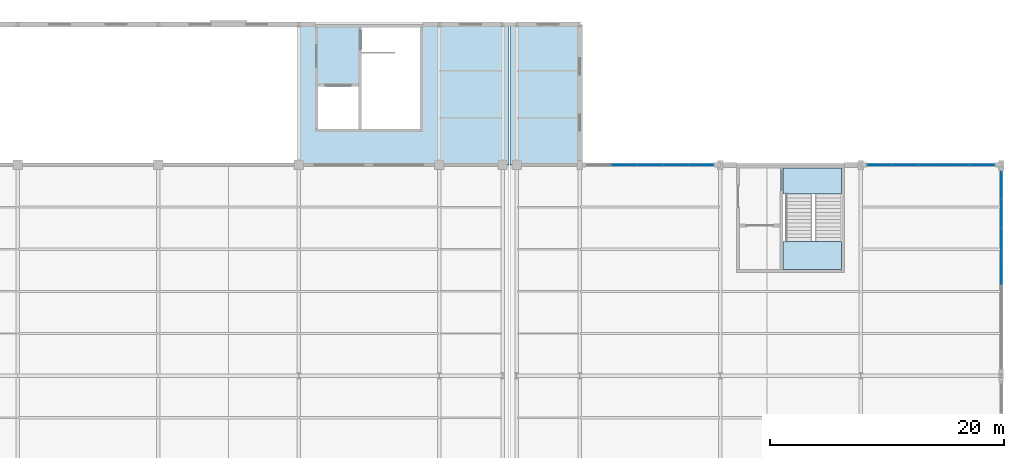
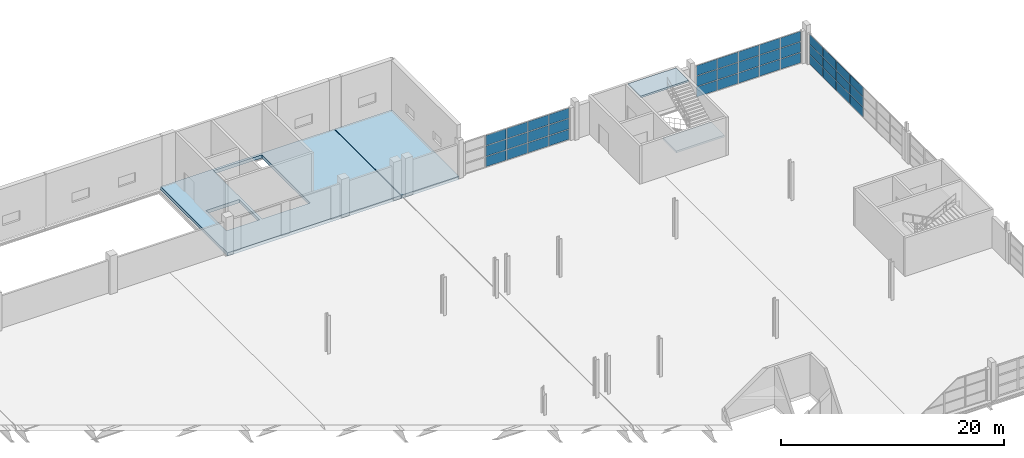
# One storey, part 130 of 147: 39 plates, 4 slabs, 4 elements without a shape of their own.
"""IFC4 building model written with IfcOpenShell, lengths in metres."""

from ifc_helpers import new_model, si_unit, direction, frame, origin, origin_2d, place, context, subcontext, project, spatial, polyline, rectangle, outline, extrude, material, layer, layer_set, type_object, element, aggregate, save


model = new_model("IFC4")

# Units and contexts
model_context = context("Model", 3, precision=1e-05, world=origin(), true_north=direction((0.0, 1.0)))
body_context = subcontext(model_context, "Body", "Model", "MODEL_VIEW")
ifc_project = project(units=[si_unit("LENGTHUNIT", "METRE"), si_unit("AREAUNIT", "SQUARE_METRE"), si_unit("VOLUMEUNIT", "CUBIC_METRE"), si_unit("PLANEANGLEUNIT", "RADIAN"), si_unit("MASSUNIT", "GRAM", prefix="KILO")], contexts=[model_context])

# Site, building, storey
site_placement = place(None, origin())
site = spatial("IfcSite", under=ifc_project, at=site_placement, CompositionType="ELEMENT")
building_placement = place(site_placement, origin())
building = spatial("IfcBuilding", under=site, at=building_placement, Name="Zilviju Railside Exhibition Hall", CompositionType="ELEMENT")
storey_placement = place(building_placement, frame((0.0, 0.0, 8.39990234375)))
storey = spatial("IfcBuildingStorey", under=building, at=storey_placement, Name="L03", CompositionType="ELEMENT", Elevation=8.39990234375)

# Curtain wall, plates
ifc_material_1 = material(Name="Thermally broken aluminium-steel triple-glazed curtain wall", Category="steel")
ifc_layer_1 = layer(ifc_material_1, 0.179931640625)
ifc_layer_set_1 = layer_set([ifc_layer_1], Name="Thermally broken aluminium-steel triple-glazed curtain wall")
curtain_wall_type_1 = type_object("IfcCurtainWallType", Name="CW-BAY-07", PredefinedType="USERDEFINED", material=ifc_layer_set_1)
curtain_wall_1_placement = place(storey_placement, origin())
curtain_wall_1 = element("IfcCurtainWall", 1, at=curtain_wall_1_placement, inside=storey, type_object=curtain_wall_type_1, Name="North Hall Clerestory Curtain Wall L03 (204..216)", ObjectType="GLAZED CURTAIN WALL", PredefinedType="USERDEFINED")
ifc_material_2 = material(Name="Laminated acoustic double-glazed porch unit", Category="glass")
ifc_layer_2 = layer(ifc_material_2, 0.031982421875)
ifc_layer_set_2 = layer_set([ifc_layer_2], Name="Laminated acoustic double-glazed porch unit")
plate_type_1 = type_object("IfcPlateType", Name="CWP-IGU-32", PredefinedType="CURTAIN_PANEL", material=ifc_layer_set_2)
plate_1_placement = place(storey_placement, frame((205.655029296875, 138.0, 0.06005859375), z_axis=(0.0, 0.0, 1.0), x_axis=(1.0, 0.0, 0.0)))
plate_1 = element("IfcPlate", 2, at=plate_1_placement, type_object=plate_type_1, Name="CW-07 panel 1.1", PredefinedType="CURTAIN_PANEL", context=body_context, shape_type="SweptSolid", body=[
    extrude(rectangle(XDim=2.090087890625, YDim=0.031982421875, at=origin_2d()), origin(), (0.0, 0.0, 1.0), 1.093017578125),
])
plate_2_placement = place(storey_placement, frame((205.655029296875, 138.0, 1.213134765625), z_axis=(0.0, 0.0, 1.0), x_axis=(1.0, 0.0, 0.0)))
plate_2 = element("IfcPlate", 3, at=plate_2_placement, type_object=plate_type_1, Name="CW-07 panel 1.2", PredefinedType="CURTAIN_PANEL", context=body_context, shape_type="SweptSolid", body=[
    extrude(rectangle(XDim=2.090087890625, YDim=0.031982421875, at=origin_2d()), origin(), (0.0, 0.0, 1.0), 1.1240234375),
])
plate_3_placement = place(storey_placement, frame((205.655029296875, 138.0, 2.39697265625), z_axis=(0.0, 0.0, 1.0), x_axis=(1.0, 0.0, 0.0)))
plate_3 = element("IfcPlate", 4, at=plate_3_placement, type_object=plate_type_1, Name="CW-07 panel 1.3", PredefinedType="CURTAIN_PANEL", context=body_context, shape_type="SweptSolid", body=[
    extrude(rectangle(XDim=2.090087890625, YDim=0.031982421875, at=origin_2d()), origin(), (0.0, 0.0, 1.0), 1.093017578125),
])
plate_4_placement = place(storey_placement, frame((207.820068359375, 138.0, 0.06005859375), z_axis=(0.0, 0.0, 1.0), x_axis=(1.0, 0.0, 0.0)))
plate_4 = element("IfcPlate", 5, at=plate_4_placement, type_object=plate_type_1, Name="CW-07 panel 2.1", PredefinedType="CURTAIN_PANEL", context=body_context, shape_type="SweptSolid", body=[
    extrude(rectangle(XDim=2.1201171875, YDim=0.031982421875, at=origin_2d()), origin(), (0.0, 0.0, 1.0), 1.093017578125),
])
plate_5_placement = place(storey_placement, frame((207.820068359375, 138.0, 1.213134765625), z_axis=(0.0, 0.0, 1.0), x_axis=(1.0, 0.0, 0.0)))
plate_5 = element("IfcPlate", 6, at=plate_5_placement, type_object=plate_type_1, Name="CW-07 panel 2.2", PredefinedType="CURTAIN_PANEL", context=body_context, shape_type="SweptSolid", body=[
    extrude(rectangle(XDim=2.1201171875, YDim=0.031982421875, at=origin_2d()), origin(), (0.0, 0.0, 1.0), 1.1240234375),
])
plate_6_placement = place(storey_placement, frame((207.820068359375, 138.0, 2.39697265625), z_axis=(0.0, 0.0, 1.0), x_axis=(1.0, 0.0, 0.0)))
plate_6 = element("IfcPlate", 7, at=plate_6_placement, type_object=plate_type_1, Name="CW-07 panel 2.3", PredefinedType="CURTAIN_PANEL", context=body_context, shape_type="SweptSolid", body=[
    extrude(rectangle(XDim=2.1201171875, YDim=0.031982421875, at=origin_2d()), origin(), (0.0, 0.0, 1.0), 1.093017578125),
])
plate_7_placement = place(storey_placement, frame((210.0, 138.0, 0.06005859375), z_axis=(0.0, 0.0, 1.0), x_axis=(1.0, 0.0, 0.0)))
plate_7 = element("IfcPlate", 8, at=plate_7_placement, type_object=plate_type_1, Name="CW-07 panel 3.1", PredefinedType="CURTAIN_PANEL", context=body_context, shape_type="SweptSolid", body=[
    extrude(rectangle(XDim=2.1201171875, YDim=0.031982421875, at=origin_2d()), origin(), (0.0, 0.0, 1.0), 1.093017578125),
])
plate_8_placement = place(storey_placement, frame((210.0, 138.0, 1.213134765625), z_axis=(0.0, 0.0, 1.0), x_axis=(1.0, 0.0, 0.0)))
plate_8 = element("IfcPlate", 9, at=plate_8_placement, type_object=plate_type_1, Name="CW-07 panel 3.2", PredefinedType="CURTAIN_PANEL", context=body_context, shape_type="SweptSolid", body=[
    extrude(rectangle(XDim=2.1201171875, YDim=0.031982421875, at=origin_2d()), origin(), (0.0, 0.0, 1.0), 1.1240234375),
])
plate_9_placement = place(storey_placement, frame((210.0, 138.0, 2.39697265625), z_axis=(0.0, 0.0, 1.0), x_axis=(1.0, 0.0, 0.0)))
plate_9 = element("IfcPlate", 10, at=plate_9_placement, type_object=plate_type_1, Name="CW-07 panel 3.3", PredefinedType="CURTAIN_PANEL", context=body_context, shape_type="SweptSolid", body=[
    extrude(rectangle(XDim=2.1201171875, YDim=0.031982421875, at=origin_2d()), origin(), (0.0, 0.0, 1.0), 1.093017578125),
])
plate_10_placement = place(storey_placement, frame((212.179931640625, 138.0, 0.06005859375), z_axis=(0.0, 0.0, 1.0), x_axis=(1.0, 0.0, 0.0)))
plate_10 = element("IfcPlate", 11, at=plate_10_placement, type_object=plate_type_1, Name="CW-07 panel 4.1", PredefinedType="CURTAIN_PANEL", context=body_context, shape_type="SweptSolid", body=[
    extrude(rectangle(XDim=2.1201171875, YDim=0.031982421875, at=origin_2d()), origin(), (0.0, 0.0, 1.0), 1.093017578125),
])
plate_11_placement = place(storey_placement, frame((212.179931640625, 138.0, 1.213134765625), z_axis=(0.0, 0.0, 1.0), x_axis=(1.0, 0.0, 0.0)))
plate_11 = element("IfcPlate", 12, at=plate_11_placement, type_object=plate_type_1, Name="CW-07 panel 4.2", PredefinedType="CURTAIN_PANEL", context=body_context, shape_type="SweptSolid", body=[
    extrude(rectangle(XDim=2.1201171875, YDim=0.031982421875, at=origin_2d()), origin(), (0.0, 0.0, 1.0), 1.1240234375),
])
plate_12_placement = place(storey_placement, frame((212.179931640625, 138.0, 2.39697265625), z_axis=(0.0, 0.0, 1.0), x_axis=(1.0, 0.0, 0.0)))
plate_12 = element("IfcPlate", 13, at=plate_12_placement, type_object=plate_type_1, Name="CW-07 panel 4.3", PredefinedType="CURTAIN_PANEL", context=body_context, shape_type="SweptSolid", body=[
    extrude(rectangle(XDim=2.1201171875, YDim=0.031982421875, at=origin_2d()), origin(), (0.0, 0.0, 1.0), 1.093017578125),
])
plate_13_placement = place(storey_placement, frame((214.344970703125, 138.0, 0.06005859375), z_axis=(0.0, 0.0, 1.0), x_axis=(1.0, 0.0, 0.0)))
plate_13 = element("IfcPlate", 14, at=plate_13_placement, type_object=plate_type_1, Name="CW-07 panel 5.1", PredefinedType="CURTAIN_PANEL", context=body_context, shape_type="SweptSolid", body=[
    extrude(rectangle(XDim=2.090087890625, YDim=0.031982421875, at=origin_2d()), origin(), (0.0, 0.0, 1.0), 1.093017578125),
])
plate_14_placement = place(storey_placement, frame((214.344970703125, 138.0, 1.213134765625), z_axis=(0.0, 0.0, 1.0), x_axis=(1.0, 0.0, 0.0)))
plate_14 = element("IfcPlate", 15, at=plate_14_placement, type_object=plate_type_1, Name="CW-07 panel 5.2", PredefinedType="CURTAIN_PANEL", context=body_context, shape_type="SweptSolid", body=[
    extrude(rectangle(XDim=2.090087890625, YDim=0.031982421875, at=origin_2d()), origin(), (0.0, 0.0, 1.0), 1.1240234375),
])
plate_15_placement = place(storey_placement, frame((214.344970703125, 138.0, 2.39697265625), z_axis=(0.0, 0.0, 1.0), x_axis=(1.0, 0.0, 0.0)))
plate_15 = element("IfcPlate", 16, at=plate_15_placement, type_object=plate_type_1, Name="CW-07 panel 5.3", PredefinedType="CURTAIN_PANEL", context=body_context, shape_type="SweptSolid", body=[
    extrude(rectangle(XDim=2.090087890625, YDim=0.031982421875, at=origin_2d()), origin(), (0.0, 0.0, 1.0), 1.093017578125),
])
aggregate(curtain_wall_1, [plate_1, plate_2, plate_3, plate_4, plate_5, plate_6, plate_7, plate_8, plate_9, plate_10, plate_11, plate_12, plate_13, plate_14, plate_15])

ifc_layer_3 = layer(ifc_material_1, 0.179931640625)
ifc_layer_set_3 = layer_set([ifc_layer_3], Name="Thermally broken aluminium-steel triple-glazed curtain wall")
curtain_wall_type_2 = type_object("IfcCurtainWallType", Name="CW-BAY-06", PredefinedType="USERDEFINED", material=ifc_layer_set_3)
curtain_wall_2_placement = place(storey_placement, origin())
curtain_wall_2 = element("IfcCurtainWall", 17, at=curtain_wall_2_placement, inside=storey, type_object=curtain_wall_type_2, Name="North Hall Clerestory Curtain Wall L03 (180..192)", ObjectType="GLAZED CURTAIN WALL", PredefinedType="USERDEFINED")
ifc_material_3 = material(Name="Triple-glazed solar-control glass unit", Category="glass")
ifc_layer_4 = layer(ifc_material_3, 0.0380859375)
ifc_layer_set_4 = layer_set([ifc_layer_4], Name="Triple-glazed solar-control glass unit")
plate_type_2 = type_object("IfcPlateType", Name="CWP-IGU-38", PredefinedType="CURTAIN_PANEL", material=ifc_layer_set_4)
plate_16_placement = place(storey_placement, frame((183.820068359375, 138.0, 0.065185546875), z_axis=(0.0, 0.0, 1.0), x_axis=(1.0, 0.0, 0.0)))
plate_16 = element("IfcPlate", 18, at=plate_16_placement, type_object=plate_type_2, Name="CW-06 panel 2.1", PredefinedType="CURTAIN_PANEL", context=body_context, shape_type="SweptSolid", body=[
    extrude(rectangle(XDim=2.114990234375, YDim=0.0380859375, at=origin_2d()), origin(), (0.0, 0.0, 1.0), 1.08544921875),
])
plate_17_placement = place(storey_placement, frame((183.820068359375, 138.0, 1.2158203125), z_axis=(0.0, 0.0, 1.0), x_axis=(1.0, 0.0, 0.0)))
plate_17 = element("IfcPlate", 19, at=plate_17_placement, type_object=plate_type_2, Name="CW-06 panel 2.2", PredefinedType="CURTAIN_PANEL", context=body_context, shape_type="SweptSolid", body=[
    extrude(rectangle(XDim=2.114990234375, YDim=0.0380859375, at=origin_2d()), origin(), (0.0, 0.0, 1.0), 1.118896484375),
])
plate_18_placement = place(storey_placement, frame((183.820068359375, 138.0, 2.399658203125), z_axis=(0.0, 0.0, 1.0), x_axis=(1.0, 0.0, 0.0)))
plate_18 = element("IfcPlate", 20, at=plate_18_placement, type_object=plate_type_2, Name="CW-06 panel 2.3", PredefinedType="CURTAIN_PANEL", context=body_context, shape_type="SweptSolid", body=[
    extrude(rectangle(XDim=2.114990234375, YDim=0.0380859375, at=origin_2d()), origin(), (0.0, 0.0, 1.0), 1.08544921875),
])
plate_19_placement = place(storey_placement, frame((186.0, 138.0, 0.065185546875), z_axis=(0.0, 0.0, 1.0), x_axis=(1.0, 0.0, 0.0)))
plate_19 = element("IfcPlate", 21, at=plate_19_placement, type_object=plate_type_2, Name="CW-06 panel 3.1", PredefinedType="CURTAIN_PANEL", context=body_context, shape_type="SweptSolid", body=[
    extrude(rectangle(XDim=2.114990234375, YDim=0.0380859375, at=origin_2d()), origin(), (0.0, 0.0, 1.0), 1.08544921875),
])
plate_20_placement = place(storey_placement, frame((186.0, 138.0, 1.2158203125), z_axis=(0.0, 0.0, 1.0), x_axis=(1.0, 0.0, 0.0)))
plate_20 = element("IfcPlate", 22, at=plate_20_placement, type_object=plate_type_2, Name="CW-06 panel 3.2", PredefinedType="CURTAIN_PANEL", context=body_context, shape_type="SweptSolid", body=[
    extrude(rectangle(XDim=2.114990234375, YDim=0.0380859375, at=origin_2d()), origin(), (0.0, 0.0, 1.0), 1.118896484375),
])
plate_21_placement = place(storey_placement, frame((186.0, 138.0, 2.399658203125), z_axis=(0.0, 0.0, 1.0), x_axis=(1.0, 0.0, 0.0)))
plate_21 = element("IfcPlate", 23, at=plate_21_placement, type_object=plate_type_2, Name="CW-06 panel 3.3", PredefinedType="CURTAIN_PANEL", context=body_context, shape_type="SweptSolid", body=[
    extrude(rectangle(XDim=2.114990234375, YDim=0.0380859375, at=origin_2d()), origin(), (0.0, 0.0, 1.0), 1.08544921875),
])
plate_22_placement = place(storey_placement, frame((188.179931640625, 138.0, 0.065185546875), z_axis=(0.0, 0.0, 1.0), x_axis=(1.0, 0.0, 0.0)))
plate_22 = element("IfcPlate", 24, at=plate_22_placement, type_object=plate_type_2, Name="CW-06 panel 4.1", PredefinedType="CURTAIN_PANEL", context=body_context, shape_type="SweptSolid", body=[
    extrude(rectangle(XDim=2.114990234375, YDim=0.0380859375, at=origin_2d()), origin(), (0.0, 0.0, 1.0), 1.08544921875),
])
plate_23_placement = place(storey_placement, frame((188.179931640625, 138.0, 1.2158203125), z_axis=(0.0, 0.0, 1.0), x_axis=(1.0, 0.0, 0.0)))
plate_23 = element("IfcPlate", 25, at=plate_23_placement, type_object=plate_type_2, Name="CW-06 panel 4.2", PredefinedType="CURTAIN_PANEL", context=body_context, shape_type="SweptSolid", body=[
    extrude(rectangle(XDim=2.114990234375, YDim=0.0380859375, at=origin_2d()), origin(), (0.0, 0.0, 1.0), 1.118896484375),
])
plate_24_placement = place(storey_placement, frame((188.179931640625, 138.0, 2.399658203125), z_axis=(0.0, 0.0, 1.0), x_axis=(1.0, 0.0, 0.0)))
plate_24 = element("IfcPlate", 26, at=plate_24_placement, type_object=plate_type_2, Name="CW-06 panel 4.3", PredefinedType="CURTAIN_PANEL", context=body_context, shape_type="SweptSolid", body=[
    extrude(rectangle(XDim=2.114990234375, YDim=0.0380859375, at=origin_2d()), origin(), (0.0, 0.0, 1.0), 1.08544921875),
])
plate_25_placement = place(storey_placement, frame((190.34375, 138.0, 0.065185546875), z_axis=(0.0, 0.0, 1.0), x_axis=(1.0, 0.0, 0.0)))
plate_25 = element("IfcPlate", 27, at=plate_25_placement, type_object=plate_type_2, Name="CW-06 panel 5.1", PredefinedType="CURTAIN_PANEL", context=body_context, shape_type="SweptSolid", body=[
    extrude(rectangle(XDim=2.08251953125, YDim=0.0380859375, at=origin_2d()), origin(), (0.0, 0.0, 1.0), 1.08544921875),
])
plate_26_placement = place(storey_placement, frame((190.34375, 138.0, 1.2158203125), z_axis=(0.0, 0.0, 1.0), x_axis=(1.0, 0.0, 0.0)))
plate_26 = element("IfcPlate", 28, at=plate_26_placement, type_object=plate_type_2, Name="CW-06 panel 5.2", PredefinedType="CURTAIN_PANEL", context=body_context, shape_type="SweptSolid", body=[
    extrude(rectangle(XDim=2.08251953125, YDim=0.0380859375, at=origin_2d()), origin(), (0.0, 0.0, 1.0), 1.118896484375),
])
plate_27_placement = place(storey_placement, frame((190.34375, 138.0, 2.399658203125), z_axis=(0.0, 0.0, 1.0), x_axis=(1.0, 0.0, 0.0)))
plate_27 = element("IfcPlate", 29, at=plate_27_placement, type_object=plate_type_2, Name="CW-06 panel 5.3", PredefinedType="CURTAIN_PANEL", context=body_context, shape_type="SweptSolid", body=[
    extrude(rectangle(XDim=2.08251953125, YDim=0.0380859375, at=origin_2d()), origin(), (0.0, 0.0, 1.0), 1.08544921875),
])
aggregate(curtain_wall_2, [plate_16, plate_17, plate_18, plate_19, plate_20, plate_21, plate_22, plate_23, plate_24, plate_25, plate_26, plate_27])

ifc_layer_5 = layer(ifc_material_1, 0.179931640625)
ifc_layer_set_5 = layer_set([ifc_layer_5], Name="Thermally broken aluminium-steel triple-glazed curtain wall")
curtain_wall_type_3 = type_object("IfcCurtainWallType", Name="CW-BAY-10", PredefinedType="USERDEFINED", material=ifc_layer_set_5)
curtain_wall_3_placement = place(storey_placement, origin())
curtain_wall_3 = element("IfcCurtainWall", 30, at=curtain_wall_3_placement, inside=storey, type_object=curtain_wall_type_3, Name="North Hall East Glazed Gable L03 (120..138)", ObjectType="GLAZED CURTAIN WALL", PredefinedType="USERDEFINED")
ifc_material_4 = material(Name="Triple-glazed low-E argon insulating glass unit", Category="glass")
ifc_layer_6 = layer(ifc_material_4, 0.0439453125)
ifc_layer_set_6 = layer_set([ifc_layer_6], Name="Triple-glazed low-E argon insulating glass unit")
plate_type_3 = type_object("IfcPlateType", Name="CWP-IGU-44", PredefinedType="CURTAIN_PANEL", material=ifc_layer_set_6)
plate_28_placement = place(storey_placement, frame((216.0, 136.22900390625, 0.05517578125), z_axis=(0.0, 0.0, 1.0), x_axis=(0.0, -1.0, 0.0)))
plate_28 = element("IfcPlate", 31, at=plate_28_placement, type_object=plate_type_3, Name="CW-10 panel 1.1", PredefinedType="CURTAIN_PANEL", context=body_context, shape_type="SweptSolid", body=[
    extrude(rectangle(XDim=2.331787109375, YDim=0.0439453125, at=origin_2d()), origin(), (0.0, 0.0, 1.0), 1.034423828125),
])
plate_29_placement = place(storey_placement, frame((216.0, 136.22900390625, 1.14453125), z_axis=(0.0, 0.0, 1.0), x_axis=(0.0, -1.0, 0.0)))
plate_29 = element("IfcPlate", 32, at=plate_29_placement, type_object=plate_type_3, Name="CW-10 panel 1.2", PredefinedType="CURTAIN_PANEL", context=body_context, shape_type="SweptSolid", body=[
    extrude(rectangle(XDim=2.331787109375, YDim=0.0439453125, at=origin_2d()), origin(), (0.0, 0.0, 1.0), 1.06103515625),
])
plate_30_placement = place(storey_placement, frame((216.0, 136.22900390625, 2.2607421875), z_axis=(0.0, 0.0, 1.0), x_axis=(0.0, -1.0, 0.0)))
plate_30 = element("IfcPlate", 33, at=plate_30_placement, type_object=plate_type_3, Name="CW-10 panel 1.3", PredefinedType="CURTAIN_PANEL", context=body_context, shape_type="SweptSolid", body=[
    extrude(rectangle(XDim=2.331787109375, YDim=0.0439453125, at=origin_2d()), origin(), (0.0, 0.0, 1.0), 1.034423828125),
])
plate_31_placement = place(storey_placement, frame((216.0, 133.82861328125, 0.05517578125), z_axis=(0.0, 0.0, 1.0), x_axis=(0.0, -1.0, 0.0)))
plate_31 = element("IfcPlate", 34, at=plate_31_placement, type_object=plate_type_3, Name="CW-10 panel 2.1", PredefinedType="CURTAIN_PANEL", context=body_context, shape_type="SweptSolid", body=[
    extrude(rectangle(XDim=2.359375, YDim=0.0439453125, at=origin_2d()), origin(), (0.0, 0.0, 1.0), 1.034423828125),
])
plate_32_placement = place(storey_placement, frame((216.0, 133.82861328125, 1.14453125), z_axis=(0.0, 0.0, 1.0), x_axis=(0.0, -1.0, 0.0)))
plate_32 = element("IfcPlate", 35, at=plate_32_placement, type_object=plate_type_3, Name="CW-10 panel 2.2", PredefinedType="CURTAIN_PANEL", context=body_context, shape_type="SweptSolid", body=[
    extrude(rectangle(XDim=2.359375, YDim=0.0439453125, at=origin_2d()), origin(), (0.0, 0.0, 1.0), 1.06103515625),
])
plate_33_placement = place(storey_placement, frame((216.0, 133.82861328125, 2.2607421875), z_axis=(0.0, 0.0, 1.0), x_axis=(0.0, -1.0, 0.0)))
plate_33 = element("IfcPlate", 36, at=plate_33_placement, type_object=plate_type_3, Name="CW-10 panel 2.3", PredefinedType="CURTAIN_PANEL", context=body_context, shape_type="SweptSolid", body=[
    extrude(rectangle(XDim=2.359375, YDim=0.0439453125, at=origin_2d()), origin(), (0.0, 0.0, 1.0), 1.034423828125),
])
plate_34_placement = place(storey_placement, frame((216.0, 131.414306640625, 0.05517578125), z_axis=(0.0, 0.0, 1.0), x_axis=(0.0, -1.0, 0.0)))
plate_34 = element("IfcPlate", 37, at=plate_34_placement, type_object=plate_type_3, Name="CW-10 panel 3.1", PredefinedType="CURTAIN_PANEL", context=body_context, shape_type="SweptSolid", body=[
    extrude(rectangle(XDim=2.359375, YDim=0.0439453125, at=origin_2d()), origin(), (0.0, 0.0, 1.0), 1.034423828125),
])
plate_35_placement = place(storey_placement, frame((216.0, 131.414306640625, 1.14453125), z_axis=(0.0, 0.0, 1.0), x_axis=(0.0, -1.0, 0.0)))
plate_35 = element("IfcPlate", 38, at=plate_35_placement, type_object=plate_type_3, Name="CW-10 panel 3.2", PredefinedType="CURTAIN_PANEL", context=body_context, shape_type="SweptSolid", body=[
    extrude(rectangle(XDim=2.359375, YDim=0.0439453125, at=origin_2d()), origin(), (0.0, 0.0, 1.0), 1.06103515625),
])
plate_36_placement = place(storey_placement, frame((216.0, 131.414306640625, 2.2607421875), z_axis=(0.0, 0.0, 1.0), x_axis=(0.0, -1.0, 0.0)))
plate_36 = element("IfcPlate", 39, at=plate_36_placement, type_object=plate_type_3, Name="CW-10 panel 3.3", PredefinedType="CURTAIN_PANEL", context=body_context, shape_type="SweptSolid", body=[
    extrude(rectangle(XDim=2.359375, YDim=0.0439453125, at=origin_2d()), origin(), (0.0, 0.0, 1.0), 1.034423828125),
])
plate_37_placement = place(storey_placement, frame((216.0, 129.0, 0.05517578125), z_axis=(0.0, 0.0, 1.0), x_axis=(0.0, -1.0, 0.0)))
plate_37 = element("IfcPlate", 40, at=plate_37_placement, type_object=plate_type_3, Name="CW-10 panel 4.1", PredefinedType="CURTAIN_PANEL", context=body_context, shape_type="SweptSolid", body=[
    extrude(rectangle(XDim=2.359375, YDim=0.0439453125, at=origin_2d()), origin(), (0.0, 0.0, 1.0), 1.034423828125),
])
plate_38_placement = place(storey_placement, frame((216.0, 129.0, 1.14453125), z_axis=(0.0, 0.0, 1.0), x_axis=(0.0, -1.0, 0.0)))
plate_38 = element("IfcPlate", 41, at=plate_38_placement, type_object=plate_type_3, Name="CW-10 panel 4.2", PredefinedType="CURTAIN_PANEL", context=body_context, shape_type="SweptSolid", body=[
    extrude(rectangle(XDim=2.359375, YDim=0.0439453125, at=origin_2d()), origin(), (0.0, 0.0, 1.0), 1.06103515625),
])
plate_39_placement = place(storey_placement, frame((216.0, 129.0, 2.2607421875), z_axis=(0.0, 0.0, 1.0), x_axis=(0.0, -1.0, 0.0)))
plate_39 = element("IfcPlate", 42, at=plate_39_placement, type_object=plate_type_3, Name="CW-10 panel 4.3", PredefinedType="CURTAIN_PANEL", context=body_context, shape_type="SweptSolid", body=[
    extrude(rectangle(XDim=2.359375, YDim=0.0439453125, at=origin_2d()), origin(), (0.0, 0.0, 1.0), 1.034423828125),
])
aggregate(curtain_wall_3, [plate_28, plate_29, plate_30, plate_31, plate_32, plate_33, plate_34, plate_35, plate_36, plate_37, plate_38, plate_39])

# Slabs
ifc_material_5 = material(Name="Concrete C35/45", Category="concrete")
ifc_layer_7 = layer(ifc_material_5, 0.360107421875)
ifc_layer_set_7 = layer_set([ifc_layer_7], Name="Concrete C35/45")
slab_type_1 = type_object("IfcSlabType", Name="SL-FLR-360", PredefinedType="FLOOR", material=ifc_layer_set_7)
slab_1_placement = place(storey_placement, frame((0.0, 0.0, -0.35986328125)))
element("IfcSlab", 43, at=slab_1_placement, inside=storey, type_object=slab_type_1, Name="Truck Ramp L03 Upper Unloading Apron West", PredefinedType="FLOOR", context=body_context, shape_type="SweptSolid", body=[
    extrude(outline(polyline([(156.0, 138.0), (173.969970703125, 138.0), (173.969970703125, 150.0), (156.0, 150.0), (156.0, 138.0)]), holes=[polyline([(161.35009765625, 141.050048828125), (166.35009765625, 141.050048828125), (166.35009765625, 149.75), (161.35009765625, 149.75), (161.35009765625, 141.050048828125)]), polyline([(157.64990234375, 141.050048828125), (161.10009765625, 141.050048828125), (161.10009765625, 144.699951171875), (157.64990234375, 144.699951171875), (157.64990234375, 141.050048828125)])]), origin(), (0.0, 0.0, 1.0), 0.35986328125),
])
slab_2_placement = place(storey_placement, frame((0.0, 0.0, -0.35986328125)))
element("IfcSlab", 44, at=slab_2_placement, inside=storey, type_object=slab_type_1, Name="Truck Ramp L03 Upper Unloading Apron East", PredefinedType="FLOOR", context=body_context, shape_type="SweptSolid", body=[
    extrude(outline(polyline([(174.030029296875, 138.0), (180.0, 138.0), (180.0, 150.0), (174.030029296875, 150.0), (174.030029296875, 138.0)])), origin(), (0.0, 0.0, 1.0), 0.35986328125),
])

# Stair, slabs
stair_type = type_object("IfcStairType", Name="STAIR-ST-B", PredefinedType="HALF_TURN_STAIR", material=ifc_material_5)
stair_placement = place(storey_placement, origin())
stair = element("IfcStair", 45, at=stair_placement, inside=storey, type_object=stair_type, Name="Core C08 North Hall Rail East Exit Stair L03", PredefinedType="HALF_TURN_STAIR")
ifc_layer_8 = layer(ifc_material_5, 0.199951171875)
ifc_layer_set_8 = layer_set([ifc_layer_8], Name="Concrete C35/45")
slab_type_2 = type_object("IfcSlabType", Name="SL-LAND-200", PredefinedType="LANDING", material=ifc_layer_set_8)
slab_3_placement = place(storey_placement, frame((0.0, 0.0, 1.900146484375)))
slab_3 = element("IfcSlab", 46, at=slab_3_placement, type_object=slab_type_2, Name="ST-08 landing 1", PredefinedType="LANDING", context=body_context, shape_type="SweptSolid", body=[
    extrude(outline(polyline([(202.35009765625, 131.469970703125), (197.35009765625, 131.469970703125), (197.35009765625, 129.050048828125), (202.35009765625, 129.050048828125), (202.35009765625, 131.469970703125)])), origin(), (0.0, 0.0, 1.0), 0.199951171875),
])
slab_4_placement = place(storey_placement, frame((0.0, 0.0, 4.0)))
slab_4 = element("IfcSlab", 47, at=slab_4_placement, type_object=slab_type_2, Name="ST-08 landing 2", PredefinedType="LANDING", context=body_context, shape_type="SweptSolid", body=[
    extrude(outline(polyline([(202.35009765625, 137.75), (197.35009765625, 137.75), (197.35009765625, 135.5), (202.35009765625, 135.5), (202.35009765625, 137.75)])), origin(), (0.0, 0.0, 1.0), 0.2001953125),
])
aggregate(stair, [slab_3, slab_4])

save(model, "model.ifc")
